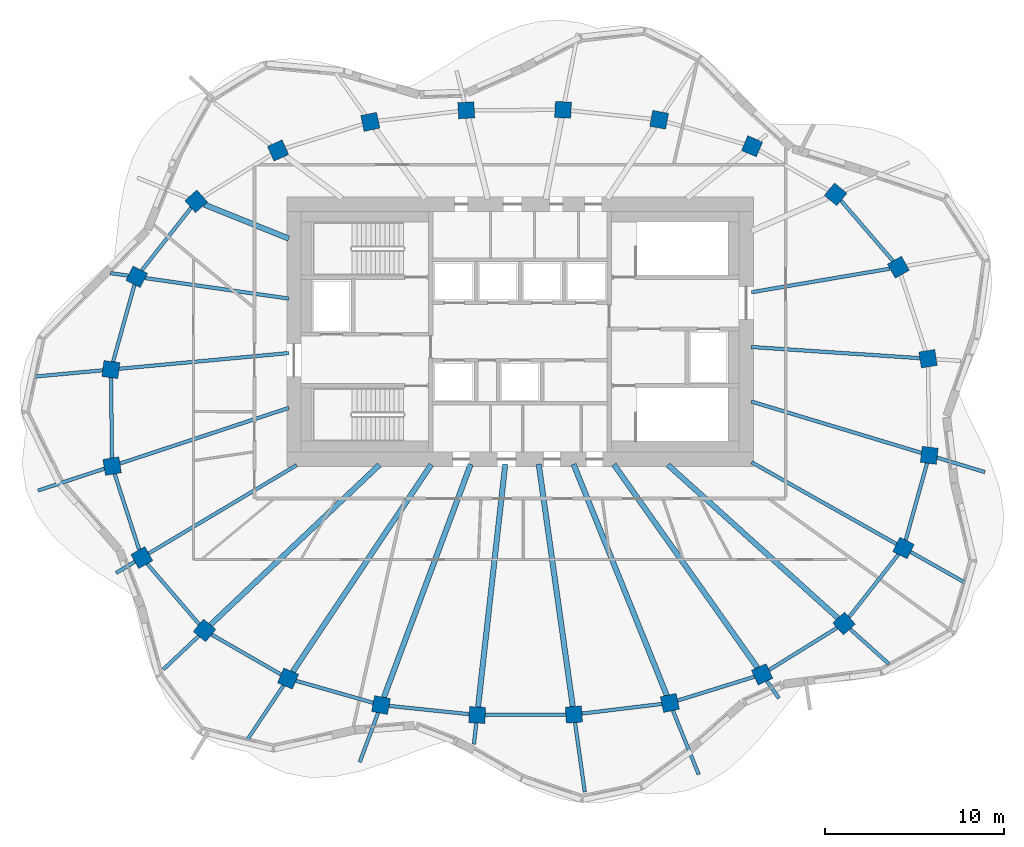
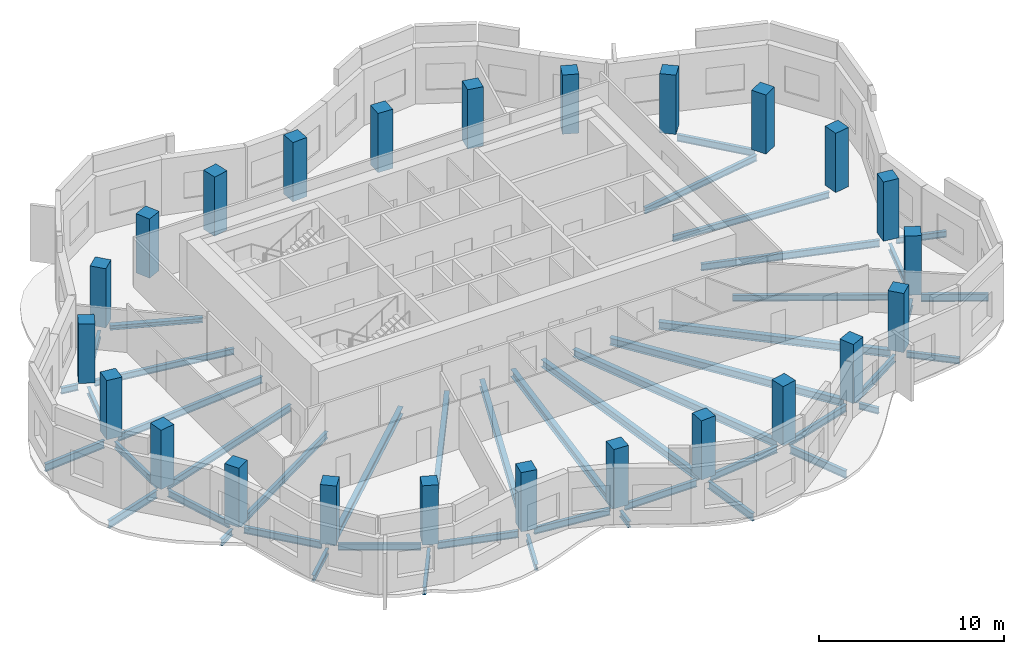
# One storey, part 1 of 9: 46 beams, 24 columns.
"""IFC4 building model written with IfcOpenShell, lengths in metres."""

import ifcopenshell
import ifcopenshell.guid

model = None  # the IFC model being written
_history = None  # IfcOwnerHistory: only IFC2X3 demands one
_inside = {}  # id of a spatial element -> (the spatial element, [elements in it])
_under = {}  # id of a project, library or spatial element -> (it, [spatial elements below it])
_declared = {}  # id of a project -> (the project, [libraries it declares])
_typed = {}  # id of a type object -> (the type object, [elements of that type])
_made_of = {}  # id of a material, layer set ... -> (it, [elements and type objects made of it])


def new_model(schema):
    """Start an empty IFC model of exactly this schema.

    Asked for "IFC4X3", IfcOpenShell would pick the latest addendum, in which some entities
    have other attributes; the version numbers below select the first issue.
    IFC2X3 requires an IfcOwnerHistory on every rooted entity: one is made here for all.
    """
    global model, _history
    if schema == "IFC4X3":
        model = ifcopenshell.file(schema_version=(4, 3, 0, 0))
    else:
        model = ifcopenshell.file(schema=schema)
    _inside.clear()
    _under.clear()
    _declared.clear()
    _typed.clear()
    _made_of.clear()
    _history = None
    if model.schema == "IFC2X3":
        org = make("IfcOrganization", Name="unknown")
        user = make(
            "IfcPersonAndOrganization",
            ThePerson=make("IfcPerson", FamilyName="unknown"),
            TheOrganization=org,
        )
        app = make(
            "IfcApplication",
            ApplicationDeveloper=org,
            Version="unknown",
            ApplicationFullName="unknown",
            ApplicationIdentifier="unknown",
        )
        _history = make(
            "IfcOwnerHistory",
            OwningUser=user,
            OwningApplication=app,
            ChangeAction="ADDED",
            CreationDate=0,
        )
    return model


def make(cls, **values):
    """One entity of the class cls with the attributes given. An attribute that is None is left unset."""
    return model.create_entity(
        cls, **{name: value for name, value in values.items() if value is not None}
    )


def rooted(cls, **values):
    """An entity with a GlobalId (a new one), such as an element, a storey or a relation."""
    return make(cls, GlobalId=ifcopenshell.guid.new(), OwnerHistory=_history, **values)


def si_unit(unit_type, name, prefix=None):
    """IfcSIUnit, for example si_unit("LENGTHUNIT", "METRE", prefix="MILLI")."""
    return make("IfcSIUnit", UnitType=unit_type, Prefix=prefix, Name=name)


def assignment(units):
    """IfcUnitAssignment: the units of a project."""
    return None if units is None else make("IfcUnitAssignment", Units=units)


def point(xyz):
    """IfcCartesianPoint."""
    return None if xyz is None else make("IfcCartesianPoint", Coordinates=xyz)


def direction(xyz):
    """IfcDirection."""
    return None if xyz is None else make("IfcDirection", DirectionRatios=xyz)


def frame(location, z_axis=None, x_axis=None):
    """IfcAxis2Placement3D, a coordinate frame: its origin and axes. An axis left out is left unset."""
    return make(
        "IfcAxis2Placement3D",
        Location=point(location),
        Axis=direction(z_axis),
        RefDirection=direction(x_axis),
    )


def frame_2d(location, x_axis=None):
    """IfcAxis2Placement2D, a coordinate frame in the plane: its origin and x axis."""
    return make(
        "IfcAxis2Placement2D", Location=point(location), RefDirection=direction(x_axis)
    )


def origin():
    """The frame at (0, 0, 0) with its axes left unset."""
    return frame((0.0, 0.0, 0.0))


def origin_2d():
    """The frame at (0, 0) in the plane with its x axis left unset."""
    return frame_2d((0.0, 0.0))


def place(relative_to, where):
    """IfcLocalPlacement: puts the frame where relative to a parent placement (None: the world)."""
    return make(
        "IfcLocalPlacement", PlacementRelTo=relative_to, RelativePlacement=where
    )


def context(
    kind, dimensions, precision=None, world=None, true_north=None, identifier=None
):
    """IfcGeometricRepresentationContext, for example the 3D "Model" context."""
    return make(
        "IfcGeometricRepresentationContext",
        ContextIdentifier=identifier,
        ContextType=kind,
        CoordinateSpaceDimension=dimensions,
        Precision=precision,
        WorldCoordinateSystem=world,
        TrueNorth=true_north,
    )


def subcontext(parent, identifier, kind, view, scale=None):
    """IfcGeometricRepresentationSubContext, for example "Body" below "Model"."""
    return make(
        "IfcGeometricRepresentationSubContext",
        ContextIdentifier=identifier,
        ContextType=kind,
        ParentContext=parent,
        TargetScale=scale,
        TargetView=view,
    )


def project(units=None, contexts=None):
    """IfcProject with its units and contexts."""
    return rooted(
        "IfcProject",
        Name="project",
        RepresentationContexts=contexts,
        UnitsInContext=assignment(units),
    )


def spatial(cls, under=None, at=None, **own):
    """A site, building, storey or space (cls), placed at a placement, below another one or the project."""
    s = rooted(cls, ObjectPlacement=at, **own)
    if under is not None:
        _under.setdefault(under.id(), (under, []))[1].append(s)
    return s


def profile(cls, at=None, kind="AREA", **sizes):
    """A parametric profile (cls). Its sizes go by their IFC names, for example OverallWidth=200.0."""
    return make(cls, ProfileType=kind, Position=at, **sizes)


def rectangle(**sizes):
    """IfcRectangleProfileDef."""
    return profile("IfcRectangleProfileDef", **sizes)


def i_section(**sizes):
    """IfcIShapeProfileDef."""
    return profile("IfcIShapeProfileDef", **sizes)


def extrude(swept, where, along, depth):
    """IfcExtrudedAreaSolid: the profile swept, set in the frame where, extruded along a direction by depth."""
    return make(
        "IfcExtrudedAreaSolid",
        SweptArea=swept,
        Position=where,
        ExtrudedDirection=direction(along),
        Depth=depth,
    )


def shape(context_of_items, identifier, shape_type, items):
    """IfcShapeRepresentation: the items that make up one representation, for example the "Body"."""
    return make(
        "IfcShapeRepresentation",
        ContextOfItems=context_of_items,
        RepresentationIdentifier=identifier,
        RepresentationType=shape_type,
        Items=items,
    )


def material(Name=None, Category=None):
    """IfcMaterial."""
    return make("IfcMaterial", Name=Name, Category=Category)


def material_profile(
    of_material, cross_section, Name=None, Category=None, Priority=None
):
    """IfcMaterialProfile: a cross section and its material."""
    return make(
        "IfcMaterialProfile",
        Name=Name,
        Material=of_material,
        Profile=cross_section,
        Priority=Priority,
        Category=Category,
    )


def profile_set(profiles, Name=None, composite=None):
    """IfcMaterialProfileSet."""
    return make(
        "IfcMaterialProfileSet",
        Name=Name,
        MaterialProfiles=profiles,
        CompositeProfile=composite,
    )


def made_of(thing, what):
    """Note that an element or type object is made of a material, layer set ...; save() writes the relation."""
    if what is not None:
        _made_of.setdefault(what.id(), (what, []))[1].append(thing)
    return thing


def type_object(cls, material=None, **own):
    """A type object (cls), such as IfcWallType, which elements share."""
    return made_of(rooted(cls, **own), material)


def element(
    cls,
    number,
    at=None,
    inside=None,
    cuts=None,
    type_object=None,
    material=None,
    context=None,
    identifier="Body",
    shape_type=None,
    held_by="IfcProductDefinitionShape",
    body=None,
    shapes=None,
    **own,
):
    """One element of the class cls, such as IfcWall. Its Tag is "e" and its number.

    at: its placement. inside: the storey or other place that contains it. cuts: it is an
    opening in that element (IfcRelVoidsElement). A single representation is given by context,
    identifier, shape_type and body (its items); several are given by shapes. held_by: the class
    of the entity that holds the representations. save() writes the other relations.
    """
    e = rooted(cls, Tag="e%d" % number, ObjectPlacement=at, **own)
    if body is not None:
        shapes = [shape(context, identifier, shape_type, body)]
    if shapes is not None:
        e.Representation = make(held_by, Representations=shapes)
    if inside is not None:
        _inside.setdefault(inside.id(), (inside, []))[1].append(e)
    if cuts is not None:
        rooted(
            "IfcRelVoidsElement", RelatingBuildingElement=cuts, RelatedOpeningElement=e
        )
    if type_object is not None:
        _typed.setdefault(type_object.id(), (type_object, []))[1].append(e)
    return made_of(e, material)


def aggregate(whole, parts):
    """IfcRelAggregates: a whole, such as a stair, and the parts it consists of."""
    return rooted("IfcRelAggregates", RelatingObject=whole, RelatedObjects=parts)


def save(model, path):
    """Write the relations noted so far, then the file.

    IfcRelAggregates (storeys below a building ...), IfcRelContainedInSpatialStructure (elements
    in a storey), IfcRelDefinesByType, IfcRelAssociatesMaterial and IfcRelDeclares: one each for
    every whole, place, type object, material and project.
    """
    for whole, parts in _under.values():
        aggregate(whole, parts)
    for where, things in _inside.values():
        rooted(
            "IfcRelContainedInSpatialStructure",
            RelatedElements=things,
            RelatingStructure=where,
        )
    for kind, things in _typed.values():
        rooted("IfcRelDefinesByType", RelatedObjects=things, RelatingType=kind)
    for what, things in _made_of.values():
        rooted("IfcRelAssociatesMaterial", RelatedObjects=things, RelatingMaterial=what)
    for by, libraries in _declared.values():
        rooted("IfcRelDeclares", RelatingContext=by, RelatedDefinitions=libraries)
    model.write(path)


model = new_model("IFC4")

# Units and contexts
model_context = context("Model", 3, precision=1e-05, world=origin(), true_north=direction((0.0, 1.0)))
body_context = subcontext(model_context, "Body", "Model", "MODEL_VIEW")
ifc_project = project(units=[si_unit("LENGTHUNIT", "METRE"), si_unit("AREAUNIT", "SQUARE_METRE"), si_unit("VOLUMEUNIT", "CUBIC_METRE"), si_unit("PLANEANGLEUNIT", "RADIAN"), si_unit("MASSUNIT", "GRAM", prefix="KILO")], contexts=[model_context])

# Site, building, storey
site_placement = place(None, origin())
site = spatial("IfcSite", under=ifc_project, at=site_placement, CompositionType="ELEMENT")
building_placement = place(site_placement, origin())
building = spatial("IfcBuilding", under=site, at=building_placement, Name="Rubra Terraces Tower", CompositionType="ELEMENT")
storey_placement = place(building_placement, frame((0.0, 0.0, 303.89990234375)))
storey = spatial("IfcBuildingStorey", under=building, at=storey_placement, Name="L75", CompositionType="ELEMENT", Elevation=303.89990234375)

# Columns
ifc_material_1 = material(Name="Concrete C50", Category="concrete")
ifc_material_profile_1 = material_profile(ifc_material_1, rectangle(XDim=0.89990234375, YDim=0.89990234375, at=origin_2d()), Name="RC 900x900")
ifc_profile_set_1 = profile_set([ifc_material_profile_1], Name="Concrete C50")
column_type = type_object("IfcColumnType", Name="RING COLUMN RC 900x900 C50", PredefinedType="COLUMN", material=ifc_profile_set_1)
for number, where, z_axis, x_axis, name in (
    (1, (22.73388671875, 2.992919921875, 0.0), (0.0, 0.0, 1.0), (-0.162062155721, 0.986780551938, 0.0), "column-L75-ring-01"),
    (2, (21.0810546875, 8.090087890625, 0.0), (0.0, 0.0, 1.0), (-0.490161823029, 0.8716314515, 0.0), "column-L75-ring-02"),
    (3, (17.583984375, 12.15087890625, 0.0), (0.0, 0.0, 1.0), (-0.770679191336, 0.637223339216, 0.0), "column-L75-ring-03"),
    (4, (12.927001953125, 14.83203125, 0.0), (0.0, 0.0, 1.0), (-0.92110553102, 0.389312985558, 0.0), "column-L75-ring-04"),
    (5, (7.7509765625, 16.306884765625, 0.0), (0.0, 0.0, 1.0), (-0.981936574306, 0.189210369799, 0.0), "column-L75-ring-05"),
    (6, (2.39208984375, 16.862060546875, 0.0), (0.0, 0.0, 1.0), (-0.998791416829, 0.049149828786, 0.0), "column-L75-ring-06"),
    (7, (-2.9990234375, 16.8359375, 0.0), (0.0, 0.0, 1.0), (-0.998059443319, -0.062268351524, 0.0), "column-L75-ring-07"),
    (8, (-8.346923828125, 16.19189453125, 0.0), (0.0, 0.0, 1.0), (-0.977944102772, -0.208866780156, 0.0), "column-L75-ring-08"),
    (9, (-13.487060546875, 14.595947265625, 0.0), (0.0, 0.0, 1.0), (-0.90972649622, -0.415208022652, 0.0), "column-L75-ring-09"),
    (10, (-18.051025390625, 11.762939453125, 0.0), (0.0, 0.0, 1.0), (-0.7456420961, -0.66634665492, 0.0), "column-L75-ring-10"),
    (11, (-21.366943359375, 7.553955078125, 0.0), (0.0, 0.0, 1.0), (-0.452078869866, -0.891977968013, 0.0), "column-L75-ring-11"),
    (12, (-22.802001953125, 2.388916015625, 0.0), (0.0, 0.0, 1.0), (-0.128535191473, -0.991704948336, 0.0), "column-L75-ring-12"),
    (13, (-22.73388671875, -2.992919921875, 0.0), (0.0, 0.0, 1.0), (0.162062155721, -0.986780551938, 0.0), "column-L75-ring-13"),
    (14, (-21.0810546875, -8.090087890625, 0.0), (0.0, 0.0, 1.0), (0.490161823029, -0.8716314515, 0.0), "column-L75-ring-14"),
    (15, (-17.583984375, -12.15087890625, 0.0), (0.0, 0.0, 1.0), (0.770679191336, -0.637223339216, 0.0), "column-L75-ring-15"),
    (16, (-12.927001953125, -14.83203125, 0.0), (0.0, 0.0, 1.0), (0.92110553102, -0.389312985558, 0.0), "column-L75-ring-16"),
    (17, (-7.7509765625, -16.306884765625, 0.0), (0.0, 0.0, 1.0), (0.981936574306, -0.189210369799, 0.0), "column-L75-ring-17"),
    (18, (-2.39208984375, -16.862060546875, 0.0), (0.0, 0.0, 1.0), (0.998791416829, -0.049149828786, 0.0), "column-L75-ring-18"),
    (19, (2.9990234375, -16.8359375, 0.0), (0.0, 0.0, 1.0), (0.998059443319, 0.062268351524, 0.0), "column-L75-ring-19"),
    (20, (8.346923828125, -16.19189453125, 0.0), (0.0, 0.0, 1.0), (0.977944102772, 0.208866780156, 0.0), "column-L75-ring-20"),
    (21, (13.487060546875, -14.595947265625, 0.0), (0.0, 0.0, 1.0), (0.90972649622, 0.415208022652, 0.0), "column-L75-ring-21"),
    (22, (18.051025390625, -11.762939453125, 0.0), (0.0, 0.0, 1.0), (0.7456420961, 0.66634665492, 0.0), "column-L75-ring-22"),
    (23, (21.366943359375, -7.553955078125, 0.0), (0.0, 0.0, 1.0), (0.452078869866, 0.891977968013, 0.0), "column-L75-ring-23"),
    (24, (22.802001953125, -2.388916015625, 0.0), (0.0, 0.0, 1.0), (0.128535191473, 0.991704948336, 0.0), "column-L75-ring-24"),
):
    element("IfcColumn", number, at=place(storey_placement, frame(where, z_axis=z_axis, x_axis=x_axis)), inside=storey, type_object=column_type, Name=name, PredefinedType="COLUMN", context=body_context, shape_type="SweptSolid", body=[
        extrude(rectangle(XDim=0.89990234375, YDim=0.89990234375, at=origin_2d()), origin(), (0.0, 0.0, 1.0), 3.900146484375),
    ])

# Beams
ifc_material_2 = material(Name="Steel Q355B", Category="steel")
ifc_material_profile_2 = material_profile(ifc_material_2, i_section(OverallWidth=0.199951171875, OverallDepth=0.39990234375, WebThickness=0.008056640625, FlangeThickness=0.012939453125, at=origin_2d()), Name="HN 400x200x8x13")
ifc_profile_set_2 = profile_set([ifc_material_profile_2], Name="Steel Q355B")
beam_type_1 = type_object("IfcBeamType", Name="CANTILEVER BEAM HN 400x200x8x13", PredefinedType="BEAM", material=ifc_profile_set_2)
beam_1_placement = place(storey_placement, frame((-17.9130859375, -12.462890625, -0.39990234375), z_axis=(-0.726108422197, -0.687580220203, 0.0), x_axis=(0.687580220203, -0.726108422197, 0.0)))
element("IfcBeam", 25, at=beam_1_placement, inside=storey, type_object=beam_type_1, Name="beam-L75-cant-15", PredefinedType="BEAM", context=body_context, shape_type="SweptSolid", body=[
    extrude(i_section(OverallWidth=0.199951171875, OverallDepth=0.39990234375, WebThickness=0.008056640625, FlangeThickness=0.012939453125, at=origin_2d()), origin(), (0.0, 0.0, 1.0), 2.718505859375),
])
beam_2_placement = place(storey_placement, frame((-7.909912109375, -16.735107421875, -0.39990234375), z_axis=(-0.349339202299, -0.936996329628, 0.0), x_axis=(0.936996329628, -0.349339202299, 0.0)))
element("IfcBeam", 26, at=beam_2_placement, inside=storey, type_object=beam_type_1, Name="beam-L75-cant-17", PredefinedType="BEAM", context=body_context, shape_type="SweptSolid", body=[
    extrude(i_section(OverallWidth=0.199951171875, OverallDepth=0.39990234375, WebThickness=0.008056640625, FlangeThickness=0.012939453125, at=origin_2d()), origin(), (0.0, 0.0, 1.0), 2.940185546875),
])
beam_3_placement = place(storey_placement, frame((18.386962890625, -12.06591796875, -0.39990234375), z_axis=(0.742932803454, -0.669366005674, 0.0), x_axis=(0.669366005674, 0.742932803454, 0.0)))
element("IfcBeam", 27, at=beam_3_placement, inside=storey, type_object=beam_type_1, Name="beam-L75-cant-22", PredefinedType="BEAM", context=body_context, shape_type="SweptSolid", body=[
    extrude(i_section(OverallWidth=0.199951171875, OverallDepth=0.39990234375, WebThickness=0.008056640625, FlangeThickness=0.012939453125, at=origin_2d()), origin(), (0.0, 0.0, 1.0), 2.923828125),
])
beam_4_placement = place(storey_placement, frame((23.239013671875, -2.52099609375, -0.39990234375), z_axis=(0.957261203881, -0.289224804512, 0.0), x_axis=(0.289224804512, 0.957261203881, 0.0)))
element("IfcBeam", 28, at=beam_4_placement, inside=storey, type_object=beam_type_1, Name="beam-L75-cant-24", PredefinedType="BEAM", context=body_context, shape_type="SweptSolid", body=[
    extrude(i_section(OverallWidth=0.199951171875, OverallDepth=0.39990234375, WebThickness=0.008056640625, FlangeThickness=0.012939453125, at=origin_2d()), origin(), (0.0, 0.0, 1.0), 2.77978515625),
])
ifc_material_profile_3 = material_profile(ifc_material_2, i_section(OverallWidth=0.198974609375, OverallDepth=0.49609375, WebThickness=0.009033203125, FlangeThickness=0.013916015625, at=origin_2d()), Name="HN 496x199x9x14")
ifc_profile_set_3 = profile_set([ifc_material_profile_3], Name="Steel Q355B")
beam_type_2 = type_object("IfcBeamType", Name="CANTILEVER BEAM HN 496x199x9x14", PredefinedType="BEAM", material=ifc_profile_set_3)
beam_5_placement = place(storey_placement, frame((-23.260986328125, 2.345947265625, -0.447998046875), z_axis=(-0.995751576587, -0.092080387299, 0.0), x_axis=(0.092080387299, -0.995751576587, 0.0)))
element("IfcBeam", 29, at=beam_5_placement, inside=storey, type_object=beam_type_2, Name="beam-L75-cant-12", PredefinedType="BEAM", context=body_context, shape_type="SweptSolid", body=[
    extrude(i_section(OverallWidth=0.198974609375, OverallDepth=0.49609375, WebThickness=0.009033203125, FlangeThickness=0.013916015625, at=origin_2d()), origin(), (0.0, 0.0, 1.0), 3.918701171875),
])
beam_6_placement = place(storey_placement, frame((-23.1669921875, -3.135986328125, -0.447998046875), z_axis=(-0.949780538411, -0.312916808201, 0.0), x_axis=(0.312916808201, -0.949780538411, 0.0)))
element("IfcBeam", 30, at=beam_6_placement, inside=storey, type_object=beam_type_2, Name="beam-L75-cant-13", PredefinedType="BEAM", context=body_context, shape_type="SweptSolid", body=[
    extrude(i_section(OverallWidth=0.198974609375, OverallDepth=0.49609375, WebThickness=0.009033203125, FlangeThickness=0.013916015625, at=origin_2d()), origin(), (0.0, 0.0, 1.0), 3.8955078125),
])
beam_7_placement = place(storey_placement, frame((-13.181884765625, -15.212890625, -0.447998046875), z_axis=(-0.555692252439, -0.831388068582, 0.0), x_axis=(0.831388068582, -0.555692252439, 0.0)))
element("IfcBeam", 31, at=beam_7_placement, inside=storey, type_object=beam_type_2, Name="beam-L75-cant-16", PredefinedType="BEAM", context=body_context, shape_type="SweptSolid", body=[
    extrude(i_section(OverallWidth=0.198974609375, OverallDepth=0.49609375, WebThickness=0.009033203125, FlangeThickness=0.013916015625, at=origin_2d()), origin(), (0.0, 0.0, 1.0), 3.746826171875),
])
beam_8_placement = place(storey_placement, frame((3.06201171875, -17.282958984375, -0.447998046875), z_axis=(0.139113240656, -0.990276479714, 0.0), x_axis=(0.990276479714, 0.139113240656, 0.0)))
element("IfcBeam", 32, at=beam_8_placement, inside=storey, type_object=beam_type_2, Name="beam-L75-cant-19", PredefinedType="BEAM", context=body_context, shape_type="SweptSolid", body=[
    extrude(i_section(OverallWidth=0.198974609375, OverallDepth=0.49609375, WebThickness=0.009033203125, FlangeThickness=0.013916015625, at=origin_2d()), origin(), (0.0, 0.0, 1.0), 3.91015625),
])
beam_9_placement = place(storey_placement, frame((8.51806640625, -16.615966796875, -0.447998046875), z_axis=(0.374086563965, -0.927393790502, 0.0), x_axis=(0.927393790502, 0.374086563965, 0.0)))
element("IfcBeam", 33, at=beam_9_placement, inside=storey, type_object=beam_type_2, Name="beam-L75-cant-20", PredefinedType="BEAM", context=body_context, shape_type="SweptSolid", body=[
    extrude(i_section(OverallWidth=0.198974609375, OverallDepth=0.49609375, WebThickness=0.009033203125, FlangeThickness=0.013916015625, at=origin_2d()), origin(), (0.0, 0.0, 1.0), 3.8388671875),
])
beam_10_placement = place(storey_placement, frame((21.759033203125, -7.77490234375, -0.447998046875), z_axis=(0.870943071103, -0.49138393024, 0.0), x_axis=(0.49138393024, 0.870943071103, 0.0)))
element("IfcBeam", 34, at=beam_10_placement, inside=storey, type_object=beam_type_2, Name="beam-L75-cant-23", PredefinedType="BEAM", context=body_context, shape_type="SweptSolid", body=[
    extrude(i_section(OverallWidth=0.198974609375, OverallDepth=0.49609375, WebThickness=0.009033203125, FlangeThickness=0.013916015625, at=origin_2d()), origin(), (0.0, 0.0, 1.0), 3.6328125),
])
ifc_material_profile_4 = material_profile(ifc_material_2, i_section(OverallWidth=0.199951171875, OverallDepth=0.39990234375, WebThickness=0.008056640625, FlangeThickness=0.012939453125, at=origin_2d()), Name="HN 400x200x8x13")
ifc_profile_set_4 = profile_set([ifc_material_profile_4], Name="Steel Q355B")
beam_type_3 = type_object("IfcBeamType", Name="CANTILEVER STUB HN 400x200x8x13", PredefinedType="BEAM", material=ifc_profile_set_4)
beam_11_placement = place(storey_placement, frame((-21.8369140625, 7.62109375, -0.39990234375), z_axis=(-0.989934873195, 0.141523661744, 0.0), x_axis=(-0.141523661744, -0.989934873195, 0.0)))
element("IfcBeam", 35, at=beam_11_placement, inside=storey, type_object=beam_type_3, Name="beam-L75-cant-11", PredefinedType="BEAM", context=body_context, shape_type="SweptSolid", body=[
    extrude(i_section(OverallWidth=0.199951171875, OverallDepth=0.39990234375, WebThickness=0.008056640625, FlangeThickness=0.012939453125, at=origin_2d()), origin(), (0.0, 0.0, 1.0), 1.002197265625),
])
beam_12_placement = place(storey_placement, frame((-21.467041015625, -8.321044921875, -0.39990234375), z_axis=(-0.858763799303, -0.512371678576, 0.0), x_axis=(0.512371678576, -0.858763799303, 0.0)))
element("IfcBeam", 36, at=beam_12_placement, inside=storey, type_object=beam_type_3, Name="beam-L75-cant-14", PredefinedType="BEAM", context=body_context, shape_type="SweptSolid", body=[
    extrude(i_section(OverallWidth=0.199951171875, OverallDepth=0.39990234375, WebThickness=0.008056640625, FlangeThickness=0.012939453125, at=origin_2d()), origin(), (0.0, 0.0, 1.0), 1.218017578125),
])
beam_13_placement = place(storey_placement, frame((-2.44189453125, -17.31005859375, -0.39990234375), z_axis=(-0.111153107694, -0.993803293741, 0.0), x_axis=(0.993803293741, -0.111153107694, 0.0)))
element("IfcBeam", 37, at=beam_13_placement, inside=storey, type_object=beam_type_3, Name="beam-L75-cant-18", PredefinedType="BEAM", context=body_context, shape_type="SweptSolid", body=[
    extrude(i_section(OverallWidth=0.199951171875, OverallDepth=0.39990234375, WebThickness=0.008056640625, FlangeThickness=0.012939453125, at=origin_2d()), origin(), (0.0, 0.0, 1.0), 1.188232421875),
])
beam_14_placement = place(storey_placement, frame((13.7509765625, -14.969970703125, -0.39990234375), z_axis=(0.576855693337, -0.816846074279, 0.0), x_axis=(0.816846074279, 0.576855693337, 0.0)))
element("IfcBeam", 38, at=beam_14_placement, inside=storey, type_object=beam_type_3, Name="beam-L75-cant-21", PredefinedType="BEAM", context=body_context, shape_type="SweptSolid", body=[
    extrude(i_section(OverallWidth=0.199951171875, OverallDepth=0.39990234375, WebThickness=0.008056640625, FlangeThickness=0.012939453125, at=origin_2d()), origin(), (0.0, 0.0, 1.0), 1.166748046875),
])
ifc_material_profile_5 = material_profile(ifc_material_2, i_section(OverallWidth=0.300048828125, OverallDepth=0.48193359375, WebThickness=0.010986328125, FlangeThickness=0.014892578125, at=origin_2d()), Name="HM 482x300x11x15")
ifc_profile_set_5 = profile_set([ifc_material_profile_5], Name="Steel Q355B")
beam_type_4 = type_object("IfcBeamType", Name="FLOOR BEAM HM 482x300x11x15", PredefinedType="BEAM", material=ifc_profile_set_5)
beam_15_placement = place(storey_placement, frame((-17.2548828125, -11.839111328125, -0.44091796875), z_axis=(0.726101482513, 0.687587548674, 0.0), x_axis=(-0.687587548674, 0.726101482513, 0.0)))
element("IfcBeam", 39, at=beam_15_placement, inside=storey, type_object=beam_type_4, Name="beam-L75-floor-15", PredefinedType="BEAM", context=body_context, shape_type="SweptSolid", body=[
    extrude(i_section(OverallWidth=0.300048828125, OverallDepth=0.48193359375, WebThickness=0.010986328125, FlangeThickness=0.014892578125, at=origin_2d()), origin(), (0.0, 0.0, 1.0), 12.97607421875),
])
beam_16_placement = place(storey_placement, frame((-12.672119140625, -14.450927734375, -0.44091796875), z_axis=(0.55586735335, 0.831271006038, 0.0), x_axis=(-0.831271006038, 0.55586735335, 0.0)))
element("IfcBeam", 40, at=beam_16_placement, inside=storey, type_object=beam_type_4, Name="beam-L75-floor-16", PredefinedType="BEAM", context=body_context, shape_type="SweptSolid", body=[
    extrude(i_section(OverallWidth=0.300048828125, OverallDepth=0.48193359375, WebThickness=0.010986328125, FlangeThickness=0.014892578125, at=origin_2d()), origin(), (0.0, 0.0, 1.0), 13.8955078125),
])
beam_17_placement = place(storey_placement, frame((-7.592041015625, -15.87890625, -0.44091796875), z_axis=(0.349129035616, 0.937074658973, 0.0), x_axis=(-0.937074658973, 0.349129035616, 0.0)))
element("IfcBeam", 41, at=beam_17_placement, inside=storey, type_object=beam_type_4, Name="beam-L75-floor-17", PredefinedType="BEAM", context=body_context, shape_type="SweptSolid", body=[
    extrude(i_section(OverallWidth=0.300048828125, OverallDepth=0.48193359375, WebThickness=0.010986328125, FlangeThickness=0.014892578125, at=origin_2d()), origin(), (0.0, 0.0, 1.0), 13.86328125),
])
beam_18_placement = place(storey_placement, frame((-2.342041015625, -16.4140625, -0.44091796875), z_axis=(0.111334672678, 0.993782969596, 0.0), x_axis=(-0.993782969596, 0.111334672678, 0.0)))
element("IfcBeam", 42, at=beam_18_placement, inside=storey, type_object=beam_type_4, Name="beam-L75-floor-18", PredefinedType="BEAM", context=body_context, shape_type="SweptSolid", body=[
    extrude(i_section(OverallWidth=0.300048828125, OverallDepth=0.48193359375, WebThickness=0.010986328125, FlangeThickness=0.014892578125, at=origin_2d()), origin(), (0.0, 0.0, 1.0), 13.61767578125),
])
beam_19_placement = place(storey_placement, frame((2.93603515625, -16.388916015625, -0.44091796875), z_axis=(-0.139140748081, 0.990272615103, 0.0), x_axis=(-0.990272615103, -0.139140748081, 0.0)))
element("IfcBeam", 43, at=beam_19_placement, inside=storey, type_object=beam_type_4, Name="beam-L75-floor-19", PredefinedType="BEAM", context=body_context, shape_type="SweptSolid", body=[
    extrude(i_section(OverallWidth=0.300048828125, OverallDepth=0.48193359375, WebThickness=0.010986328125, FlangeThickness=0.014892578125, at=origin_2d()), origin(), (0.0, 0.0, 1.0), 13.640380859375),
])
beam_20_placement = place(storey_placement, frame((8.176025390625, -15.76806640625, -0.44091796875), z_axis=(-0.374083693877, 0.927394948215, 0.0), x_axis=(-0.927394948215, -0.374083693877, 0.0)))
element("IfcBeam", 44, at=beam_20_placement, inside=storey, type_object=beam_type_4, Name="beam-L75-floor-20", PredefinedType="BEAM", context=body_context, shape_type="SweptSolid", body=[
    extrude(i_section(OverallWidth=0.300048828125, OverallDepth=0.48193359375, WebThickness=0.010986328125, FlangeThickness=0.014892578125, at=origin_2d()), origin(), (0.0, 0.0, 1.0), 13.887451171875),
])
beam_21_placement = place(storey_placement, frame((13.222900390625, -14.221923828125, -0.44091796875), z_axis=(-0.576895514811, 0.816817950948, 0.0), x_axis=(-0.816817950948, -0.576895514811, 0.0)))
element("IfcBeam", 45, at=beam_21_placement, inside=storey, type_object=beam_type_4, Name="beam-L75-floor-21", PredefinedType="BEAM", context=body_context, shape_type="SweptSolid", body=[
    extrude(i_section(OverallWidth=0.300048828125, OverallDepth=0.48193359375, WebThickness=0.010986328125, FlangeThickness=0.014892578125, at=origin_2d()), origin(), (0.0, 0.0, 1.0), 13.8583984375),
])
beam_22_placement = place(storey_placement, frame((17.715087890625, -11.4599609375, -0.44091796875), z_axis=(-0.742980094736, 0.669313513105, 0.0), x_axis=(-0.669313513105, -0.742980094736, 0.0)))
element("IfcBeam", 46, at=beam_22_placement, inside=storey, type_object=beam_type_4, Name="beam-L75-floor-22", PredefinedType="BEAM", context=body_context, shape_type="SweptSolid", body=[
    extrude(i_section(OverallWidth=0.300048828125, OverallDepth=0.48193359375, WebThickness=0.010986328125, FlangeThickness=0.014892578125, at=origin_2d()), origin(), (0.0, 0.0, 1.0), 12.759521484375),
])
ifc_material_profile_6 = material_profile(ifc_material_2, i_section(OverallWidth=0.199951171875, OverallDepth=0.39990234375, WebThickness=0.008056640625, FlangeThickness=0.012939453125, at=origin_2d()), Name="HN 400x200x8x13")
ifc_profile_set_6 = profile_set([ifc_material_profile_6], Name="Steel Q355B")
beam_type_5 = type_object("IfcBeamType", Name="FLOOR BEAM HN 400x200x8x13", PredefinedType="BEAM", material=ifc_profile_set_6)
beam_23_placement = place(storey_placement, frame((22.27294921875, 3.02392578125, -0.39990234375), z_axis=(-0.997814209988, 0.066081785285, 0.0), x_axis=(-0.066081785285, -0.997814209988, 0.0)))
element("IfcBeam", 47, at=beam_23_placement, inside=storey, type_object=beam_type_5, Name="beam-L75-floor-01", PredefinedType="BEAM", context=body_context, shape_type="SweptSolid", body=[
    extrude(i_section(OverallWidth=0.199951171875, OverallDepth=0.39990234375, WebThickness=0.008056640625, FlangeThickness=0.012939453125, at=origin_2d()), origin(), (0.0, 0.0, 1.0), 9.41357421875),
])
beam_24_placement = place(storey_placement, frame((20.610107421875, 8.010009765625, -0.39990234375), z_axis=(-0.985810425856, -0.167862456415, 0.0), x_axis=(0.167862456415, -0.985810425856, 0.0)))
element("IfcBeam", 48, at=beam_24_placement, inside=storey, type_object=beam_type_5, Name="beam-L75-floor-02", PredefinedType="BEAM", context=body_context, shape_type="SweptSolid", body=[
    extrude(i_section(OverallWidth=0.199951171875, OverallDepth=0.39990234375, WebThickness=0.008056640625, FlangeThickness=0.012939453125, at=origin_2d()), origin(), (0.0, 0.0, 1.0), 7.83935546875),
])
beam_25_placement = place(storey_placement, frame((-20.89697265625, 7.487060546875, -0.39990234375), z_axis=(0.98993441274, -0.141526882509, 0.0), x_axis=(0.141526882509, 0.98993441274, 0.0)))
element("IfcBeam", 49, at=beam_25_placement, inside=storey, type_object=beam_type_5, Name="beam-L75-floor-11", PredefinedType="BEAM", context=body_context, shape_type="SweptSolid", body=[
    extrude(i_section(OverallWidth=0.199951171875, OverallDepth=0.39990234375, WebThickness=0.008056640625, FlangeThickness=0.012939453125, at=origin_2d()), origin(), (0.0, 0.0, 1.0), 8.097412109375),
])
beam_26_placement = place(storey_placement, frame((20.97509765625, -7.3330078125, -0.39990234375), z_axis=(-0.870973270007, 0.491330400986, 0.0), x_axis=(-0.491330400986, -0.870973270007, 0.0)))
element("IfcBeam", 50, at=beam_26_placement, inside=storey, type_object=beam_type_5, Name="beam-L75-floor-23", PredefinedType="BEAM", context=body_context, shape_type="SweptSolid", body=[
    extrude(i_section(OverallWidth=0.199951171875, OverallDepth=0.39990234375, WebThickness=0.008056640625, FlangeThickness=0.012939453125, at=origin_2d()), origin(), (0.0, 0.0, 1.0), 9.277099609375),
])
ifc_material_profile_7 = material_profile(ifc_material_2, i_section(OverallWidth=0.198974609375, OverallDepth=0.446044921875, WebThickness=0.008056640625, FlangeThickness=0.011962890625, at=origin_2d()), Name="HN 446x199x8x12")
ifc_profile_set_7 = profile_set([ifc_material_profile_7], Name="Steel Q355B")
beam_type_6 = type_object("IfcBeamType", Name="FLOOR BEAM HN 446x199x8x12", PredefinedType="BEAM", material=ifc_profile_set_7)
beam_27_placement = place(storey_placement, frame((-22.343017578125, 2.431884765625, -0.4228515625), z_axis=(0.995739538303, 0.092210475874, 0.0), x_axis=(-0.092210475874, 0.995739538303, 0.0)))
element("IfcBeam", 51, at=beam_27_placement, inside=storey, type_object=beam_type_6, Name="beam-L75-floor-12", PredefinedType="BEAM", context=body_context, shape_type="SweptSolid", body=[
    extrude(i_section(OverallWidth=0.198974609375, OverallDepth=0.446044921875, WebThickness=0.008056640625, FlangeThickness=0.011962890625, at=origin_2d()), origin(), (0.0, 0.0, 1.0), 9.50244140625),
])
beam_28_placement = place(storey_placement, frame((-22.301025390625, -2.85009765625, -0.4228515625), z_axis=(0.949746725795, 0.313019419273, 0.0), x_axis=(-0.313019419273, 0.949746725795, 0.0)))
element("IfcBeam", 52, at=beam_28_placement, inside=storey, type_object=beam_type_6, Name="beam-L75-floor-13", PredefinedType="BEAM", context=body_context, shape_type="SweptSolid", body=[
    extrude(i_section(OverallWidth=0.198974609375, OverallDepth=0.446044921875, WebThickness=0.008056640625, FlangeThickness=0.011962890625, at=origin_2d()), origin(), (0.0, 0.0, 1.0), 9.913330078125),
])
beam_29_placement = place(storey_placement, frame((-20.695068359375, -7.85888671875, -0.4228515625), z_axis=(0.858552756119, 0.512725233396, 0.0), x_axis=(-0.512725233396, 0.858552756119, 0.0)))
element("IfcBeam", 53, at=beam_29_placement, inside=storey, type_object=beam_type_6, Name="beam-L75-floor-14", PredefinedType="BEAM", context=body_context, shape_type="SweptSolid", body=[
    extrude(i_section(OverallWidth=0.198974609375, OverallDepth=0.446044921875, WebThickness=0.008056640625, FlangeThickness=0.011962890625, at=origin_2d()), origin(), (0.0, 0.0, 1.0), 9.59765625),
])
beam_30_placement = place(storey_placement, frame((22.364990234375, -2.257080078125, -0.4228515625), z_axis=(-0.957268105474, 0.289201960992, 0.0), x_axis=(-0.289201960992, -0.957268105474, 0.0)))
element("IfcBeam", 54, at=beam_30_placement, inside=storey, type_object=beam_type_6, Name="beam-L75-floor-24", PredefinedType="BEAM", context=body_context, shape_type="SweptSolid", body=[
    extrude(i_section(OverallWidth=0.198974609375, OverallDepth=0.446044921875, WebThickness=0.008056640625, FlangeThickness=0.011962890625, at=origin_2d()), origin(), (0.0, 0.0, 1.0), 9.903076171875),
])
ifc_material_profile_8 = material_profile(ifc_material_2, i_section(OverallWidth=0.304931640625, OverallDepth=0.300048828125, WebThickness=0.014892578125, FlangeThickness=0.014892578125, at=origin_2d()), Name="HW 300x305x15x15")
ifc_profile_set_8 = profile_set([ifc_material_profile_8], Name="Steel Q355B")
beam_type_7 = type_object("IfcBeamType", Name="FLOOR BEAM HW 300x305x15x15", PredefinedType="BEAM", material=ifc_profile_set_8)
beam_31_placement = place(storey_placement, frame((-17.5849609375, 11.575927734375, -0.349853515625), z_axis=(0.927692985207, -0.373343977047, 0.0), x_axis=(0.373343977047, 0.927692985207, 0.0)))
element("IfcBeam", 55, at=beam_31_placement, inside=storey, type_object=beam_type_7, Name="beam-L75-floor-10", PredefinedType="BEAM", context=body_context, shape_type="SweptSolid", body=[
    extrude(i_section(OverallWidth=0.304931640625, OverallDepth=0.300048828125, WebThickness=0.014892578125, FlangeThickness=0.014892578125, at=origin_2d()), origin(), (0.0, 0.0, 1.0), 5.06201171875),
])
ifc_material_profile_9 = material_profile(ifc_material_2, i_section(OverallWidth=0.198974609375, OverallDepth=0.446044921875, WebThickness=0.008056640625, FlangeThickness=0.011962890625, at=origin_2d()), Name="HN 446x199x8x12")
ifc_profile_set_9 = profile_set([ifc_material_profile_9], Name="Steel Q355B")
beam_type_8 = type_object("IfcBeamType", Name="SPANDREL BEAM HN 446x199x8x12", PredefinedType="SPANDREL", material=ifc_profile_set_9)
beam_32_placement = place(storey_placement, frame((20.781005859375, 8.43798828125, -0.4228515625), z_axis=(-0.652473175209, 0.757811820726, 0.0), x_axis=(-0.757811820726, -0.652473175209, 0.0)))
element("IfcBeam", 56, at=beam_32_placement, inside=storey, type_object=beam_type_8, Name="beam-L75-spandrel-02", PredefinedType="SPANDREL", context=body_context, shape_type="SweptSolid", body=[
    extrude(i_section(OverallWidth=0.198974609375, OverallDepth=0.446044921875, WebThickness=0.008056640625, FlangeThickness=0.011962890625, at=origin_2d()), origin(), (0.0, 0.0, 1.0), 4.44287109375),
])
beam_33_placement = place(storey_placement, frame((-18.333984375, 11.404052734375, -0.4228515625), z_axis=(-0.61888661349, -0.785480336891, 0.0), x_axis=(0.785480336891, -0.61888661349, 0.0)))
element("IfcBeam", 57, at=beam_33_placement, inside=storey, type_object=beam_type_8, Name="beam-L75-spandrel-10", PredefinedType="SPANDREL", context=body_context, shape_type="SweptSolid", body=[
    extrude(i_section(OverallWidth=0.198974609375, OverallDepth=0.446044921875, WebThickness=0.008056640625, FlangeThickness=0.011962890625, at=origin_2d()), origin(), (0.0, 0.0, 1.0), 4.44189453125),
])
beam_34_placement = place(storey_placement, frame((-21.489990234375, 7.112060546875, -0.4228515625), z_axis=(-0.267564585696, -0.963539927809, 0.0), x_axis=(0.963539927809, -0.267564585696, 0.0)))
element("IfcBeam", 58, at=beam_34_placement, inside=storey, type_object=beam_type_8, Name="beam-L75-spandrel-11", PredefinedType="SPANDREL", context=body_context, shape_type="SweptSolid", body=[
    extrude(i_section(OverallWidth=0.198974609375, OverallDepth=0.446044921875, WebThickness=0.008056640625, FlangeThickness=0.011962890625, at=origin_2d()), origin(), (0.0, 0.0, 1.0), 4.447265625),
])
beam_35_placement = place(storey_placement, frame((-22.7958984375, 1.93408203125, -0.4228515625), z_axis=(0.01250038801, -0.999921867097, 0.0), x_axis=(0.999921867097, 0.01250038801, 0.0)))
element("IfcBeam", 59, at=beam_35_placement, inside=storey, type_object=beam_type_8, Name="beam-L75-spandrel-12", PredefinedType="SPANDREL", context=body_context, shape_type="SweptSolid", body=[
    extrude(i_section(OverallWidth=0.198974609375, OverallDepth=0.446044921875, WebThickness=0.008056640625, FlangeThickness=0.011962890625, at=origin_2d()), origin(), (0.0, 0.0, 1.0), 4.472412109375),
])
beam_36_placement = place(storey_placement, frame((-22.593994140625, -3.426025390625, -0.4228515625), z_axis=(0.308536942246, -0.951212360764, 0.0), x_axis=(0.951212360764, 0.308536942246, 0.0)))
element("IfcBeam", 60, at=beam_36_placement, inside=storey, type_object=beam_type_8, Name="beam-L75-spandrel-13", PredefinedType="SPANDREL", context=body_context, shape_type="SweptSolid", body=[
    extrude(i_section(OverallWidth=0.198974609375, OverallDepth=0.446044921875, WebThickness=0.008056640625, FlangeThickness=0.011962890625, at=origin_2d()), origin(), (0.0, 0.0, 1.0), 4.44384765625),
])
beam_37_placement = place(storey_placement, frame((-20.781005859375, -8.43798828125, -0.4228515625), z_axis=(0.652473175209, -0.757811820726, 0.0), x_axis=(0.757811820726, 0.652473175209, 0.0)))
element("IfcBeam", 61, at=beam_37_placement, inside=storey, type_object=beam_type_8, Name="beam-L75-spandrel-14", PredefinedType="SPANDREL", context=body_context, shape_type="SweptSolid", body=[
    extrude(i_section(OverallWidth=0.198974609375, OverallDepth=0.446044921875, WebThickness=0.008056640625, FlangeThickness=0.011962890625, at=origin_2d()), origin(), (0.0, 0.0, 1.0), 4.44287109375),
])
beam_38_placement = place(storey_placement, frame((-17.18798828125, -12.37890625, -0.4228515625), z_axis=(0.866616005945, -0.498975648945, 0.0), x_axis=(0.498975648945, 0.866616005945, 0.0)))
element("IfcBeam", 62, at=beam_38_placement, inside=storey, type_object=beam_type_8, Name="beam-L75-spandrel-15", PredefinedType="SPANDREL", context=body_context, shape_type="SweptSolid", body=[
    extrude(i_section(OverallWidth=0.198974609375, OverallDepth=0.446044921875, WebThickness=0.008056640625, FlangeThickness=0.011962890625, at=origin_2d()), origin(), (0.0, 0.0, 1.0), 4.463134765625),
])
beam_39_placement = place(storey_placement, frame((-12.490966796875, -14.9560546875, -0.4228515625), z_axis=(0.961713024643, -0.27405849418, 0.0), x_axis=(0.27405849418, 0.961713024643, 0.0)))
element("IfcBeam", 63, at=beam_39_placement, inside=storey, type_object=beam_type_8, Name="beam-L75-spandrel-16", PredefinedType="SPANDREL", context=body_context, shape_type="SweptSolid", body=[
    extrude(i_section(OverallWidth=0.198974609375, OverallDepth=0.446044921875, WebThickness=0.008056640625, FlangeThickness=0.011962890625, at=origin_2d()), origin(), (0.0, 0.0, 1.0), 4.477294921875),
])
beam_40_placement = place(storey_placement, frame((-7.302001953125, -16.35400390625, -0.4228515625), z_axis=(0.994684107425, -0.102973425873, 0.0), x_axis=(0.102973425873, 0.994684107425, 0.0)))
element("IfcBeam", 64, at=beam_40_placement, inside=storey, type_object=beam_type_8, Name="beam-L75-spandrel-17", PredefinedType="SPANDREL", context=body_context, shape_type="SweptSolid", body=[
    extrude(i_section(OverallWidth=0.198974609375, OverallDepth=0.446044921875, WebThickness=0.008056640625, FlangeThickness=0.011962890625, at=origin_2d()), origin(), (0.0, 0.0, 1.0), 4.48583984375),
])
beam_41_placement = place(storey_placement, frame((-1.94091796875, -16.860107421875, -0.4228515625), z_axis=(0.999987753188, 0.004949088244, 0.0), x_axis=(-0.004949088244, 0.999987753188, 0.0)))
element("IfcBeam", 65, at=beam_41_placement, inside=storey, type_object=beam_type_8, Name="beam-L75-spandrel-18", PredefinedType="SPANDREL", context=body_context, shape_type="SweptSolid", body=[
    extrude(i_section(OverallWidth=0.198974609375, OverallDepth=0.446044921875, WebThickness=0.008056640625, FlangeThickness=0.011962890625, at=origin_2d()), origin(), (0.0, 0.0, 1.0), 4.489013671875),
])
beam_42_placement = place(storey_placement, frame((3.447021484375, -16.781982421875, -0.4228515625), z_axis=(0.992829862118, 0.119536040116, 0.0), x_axis=(-0.119536040116, 0.992829862118, 0.0)))
element("IfcBeam", 66, at=beam_42_placement, inside=storey, type_object=beam_type_8, Name="beam-L75-spandrel-19", PredefinedType="SPANDREL", context=body_context, shape_type="SweptSolid", body=[
    extrude(i_section(OverallWidth=0.198974609375, OverallDepth=0.446044921875, WebThickness=0.008056640625, FlangeThickness=0.011962890625, at=origin_2d()), origin(), (0.0, 0.0, 1.0), 4.483154296875),
])
beam_43_placement = place(storey_placement, frame((8.779052734375, -16.05810546875, -0.4228515625), z_axis=(0.955035382264, 0.296491852541, 0.0), x_axis=(-0.296491852541, 0.955035382264, 0.0)))
element("IfcBeam", 67, at=beam_43_placement, inside=storey, type_object=beam_type_8, Name="beam-L75-spandrel-20", PredefinedType="SPANDREL", context=body_context, shape_type="SweptSolid", body=[
    extrude(i_section(OverallWidth=0.198974609375, OverallDepth=0.446044921875, WebThickness=0.008056640625, FlangeThickness=0.011962890625, at=origin_2d()), origin(), (0.0, 0.0, 1.0), 4.47607421875),
])
beam_44_placement = place(storey_placement, frame((13.8720703125, -14.35693359375, -0.4228515625), z_axis=(0.849641857012, 0.527360137679, 0.0), x_axis=(-0.527360137679, 0.849641857012, 0.0)))
element("IfcBeam", 68, at=beam_44_placement, inside=storey, type_object=beam_type_8, Name="beam-L75-spandrel-21", PredefinedType="SPANDREL", context=body_context, shape_type="SweptSolid", body=[
    extrude(i_section(OverallWidth=0.198974609375, OverallDepth=0.446044921875, WebThickness=0.008056640625, FlangeThickness=0.011962890625, at=origin_2d()), origin(), (0.0, 0.0, 1.0), 4.4619140625),
])
beam_45_placement = place(storey_placement, frame((18.333984375, -11.404052734375, -0.4228515625), z_axis=(0.61888661349, 0.785480336891, 0.0), x_axis=(-0.785480336891, 0.61888661349, 0.0)))
element("IfcBeam", 69, at=beam_45_placement, inside=storey, type_object=beam_type_8, Name="beam-L75-spandrel-22", PredefinedType="SPANDREL", context=body_context, shape_type="SweptSolid", body=[
    extrude(i_section(OverallWidth=0.198974609375, OverallDepth=0.446044921875, WebThickness=0.008056640625, FlangeThickness=0.011962890625, at=origin_2d()), origin(), (0.0, 0.0, 1.0), 4.44189453125),
])
beam_46_placement = place(storey_placement, frame((21.489990234375, -7.112060546875, -0.4228515625), z_axis=(0.267564585696, 0.963539927809, 0.0), x_axis=(-0.963539927809, 0.267564585696, 0.0)))
element("IfcBeam", 70, at=beam_46_placement, inside=storey, type_object=beam_type_8, Name="beam-L75-spandrel-23", PredefinedType="SPANDREL", context=body_context, shape_type="SweptSolid", body=[
    extrude(i_section(OverallWidth=0.198974609375, OverallDepth=0.446044921875, WebThickness=0.008056640625, FlangeThickness=0.011962890625, at=origin_2d()), origin(), (0.0, 0.0, 1.0), 4.447265625),
])

save(model, "model.ifc")
